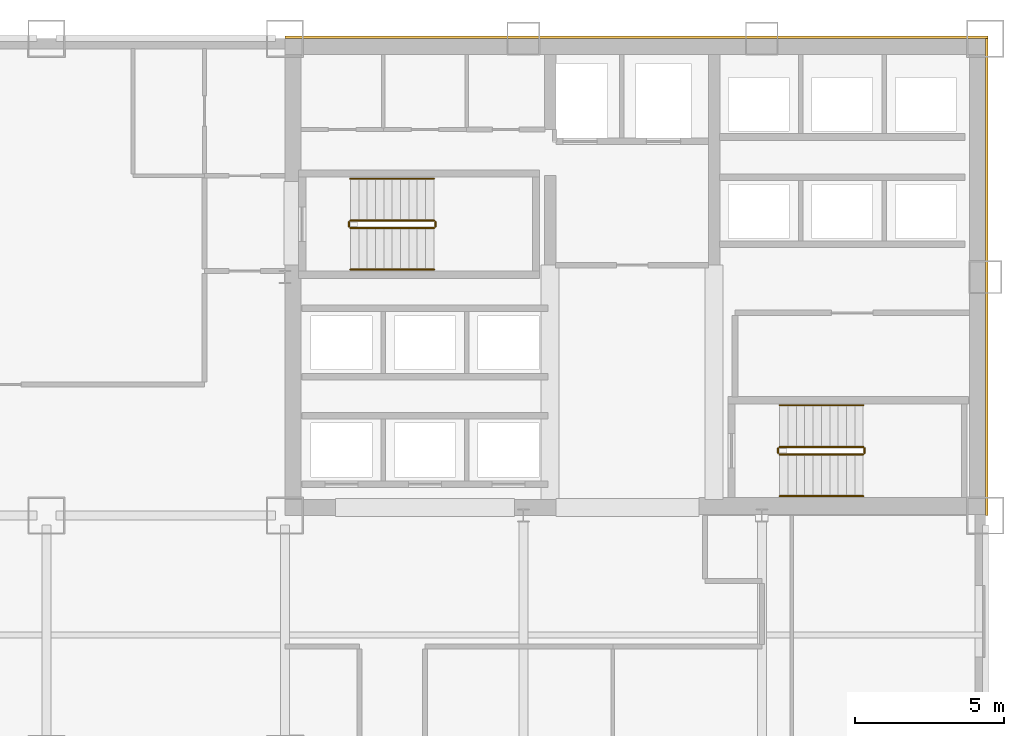
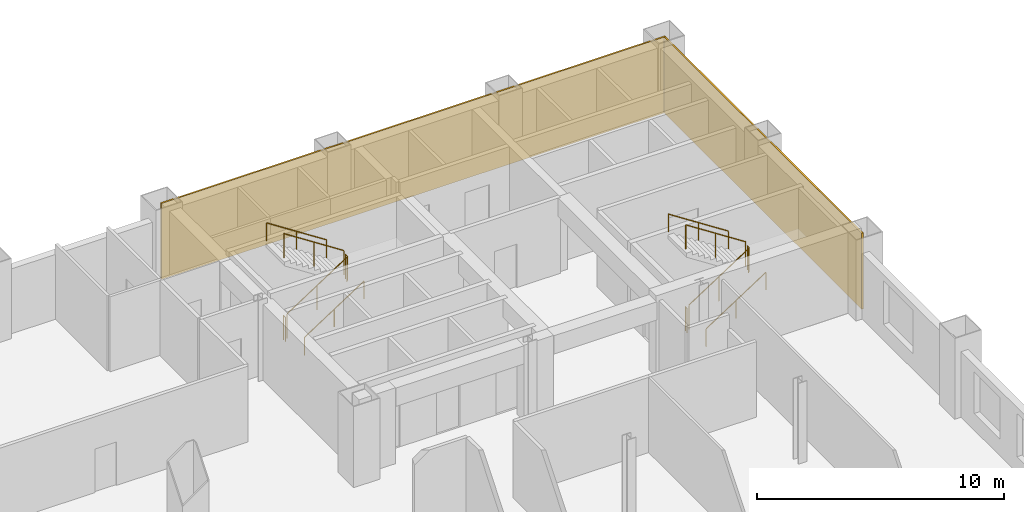
# One storey, part 9 of 9: 12 railings, 2 coverings.
"""IFC4 building model written with IfcOpenShell, lengths in metres."""

import ifcopenshell
import ifcopenshell.guid

model = None  # the IFC model being written
_history = None  # IfcOwnerHistory: only IFC2X3 demands one
_inside = {}  # id of a spatial element -> (the spatial element, [elements in it])
_under = {}  # id of a project, library or spatial element -> (it, [spatial elements below it])
_declared = {}  # id of a project -> (the project, [libraries it declares])
_typed = {}  # id of a type object -> (the type object, [elements of that type])
_made_of = {}  # id of a material, layer set ... -> (it, [elements and type objects made of it])


def new_model(schema):
    """Start an empty IFC model of exactly this schema.

    Asked for "IFC4X3", IfcOpenShell would pick the latest addendum, in which some entities
    have other attributes; the version numbers below select the first issue.
    IFC2X3 requires an IfcOwnerHistory on every rooted entity: one is made here for all.
    """
    global model, _history
    if schema == "IFC4X3":
        model = ifcopenshell.file(schema_version=(4, 3, 0, 0))
    else:
        model = ifcopenshell.file(schema=schema)
    _inside.clear()
    _under.clear()
    _declared.clear()
    _typed.clear()
    _made_of.clear()
    _history = None
    if model.schema == "IFC2X3":
        org = make("IfcOrganization", Name="unknown")
        user = make(
            "IfcPersonAndOrganization",
            ThePerson=make("IfcPerson", FamilyName="unknown"),
            TheOrganization=org,
        )
        app = make(
            "IfcApplication",
            ApplicationDeveloper=org,
            Version="unknown",
            ApplicationFullName="unknown",
            ApplicationIdentifier="unknown",
        )
        _history = make(
            "IfcOwnerHistory",
            OwningUser=user,
            OwningApplication=app,
            ChangeAction="ADDED",
            CreationDate=0,
        )
    return model


def make(cls, **values):
    """One entity of the class cls with the attributes given. An attribute that is None is left unset."""
    return model.create_entity(
        cls, **{name: value for name, value in values.items() if value is not None}
    )


def rooted(cls, **values):
    """An entity with a GlobalId (a new one), such as an element, a storey or a relation."""
    return make(cls, GlobalId=ifcopenshell.guid.new(), OwnerHistory=_history, **values)


def si_unit(unit_type, name, prefix=None):
    """IfcSIUnit, for example si_unit("LENGTHUNIT", "METRE", prefix="MILLI")."""
    return make("IfcSIUnit", UnitType=unit_type, Prefix=prefix, Name=name)


def assignment(units):
    """IfcUnitAssignment: the units of a project."""
    return None if units is None else make("IfcUnitAssignment", Units=units)


def point(xyz):
    """IfcCartesianPoint."""
    return None if xyz is None else make("IfcCartesianPoint", Coordinates=xyz)


def direction(xyz):
    """IfcDirection."""
    return None if xyz is None else make("IfcDirection", DirectionRatios=xyz)


def frame(location, z_axis=None, x_axis=None):
    """IfcAxis2Placement3D, a coordinate frame: its origin and axes. An axis left out is left unset."""
    return make(
        "IfcAxis2Placement3D",
        Location=point(location),
        Axis=direction(z_axis),
        RefDirection=direction(x_axis),
    )


def frame_2d(location, x_axis=None):
    """IfcAxis2Placement2D, a coordinate frame in the plane: its origin and x axis."""
    return make(
        "IfcAxis2Placement2D", Location=point(location), RefDirection=direction(x_axis)
    )


def origin():
    """The frame at (0, 0, 0) with its axes left unset."""
    return frame((0.0, 0.0, 0.0))


def origin_2d():
    """The frame at (0, 0) in the plane with its x axis left unset."""
    return frame_2d((0.0, 0.0))


def place(relative_to, where):
    """IfcLocalPlacement: puts the frame where relative to a parent placement (None: the world)."""
    return make(
        "IfcLocalPlacement", PlacementRelTo=relative_to, RelativePlacement=where
    )


def context(
    kind, dimensions, precision=None, world=None, true_north=None, identifier=None
):
    """IfcGeometricRepresentationContext, for example the 3D "Model" context."""
    return make(
        "IfcGeometricRepresentationContext",
        ContextIdentifier=identifier,
        ContextType=kind,
        CoordinateSpaceDimension=dimensions,
        Precision=precision,
        WorldCoordinateSystem=world,
        TrueNorth=true_north,
    )


def subcontext(parent, identifier, kind, view, scale=None):
    """IfcGeometricRepresentationSubContext, for example "Body" below "Model"."""
    return make(
        "IfcGeometricRepresentationSubContext",
        ContextIdentifier=identifier,
        ContextType=kind,
        ParentContext=parent,
        TargetScale=scale,
        TargetView=view,
    )


def project(units=None, contexts=None):
    """IfcProject with its units and contexts."""
    return rooted(
        "IfcProject",
        Name="project",
        RepresentationContexts=contexts,
        UnitsInContext=assignment(units),
    )


def spatial(cls, under=None, at=None, **own):
    """A site, building, storey or space (cls), placed at a placement, below another one or the project."""
    s = rooted(cls, ObjectPlacement=at, **own)
    if under is not None:
        _under.setdefault(under.id(), (under, []))[1].append(s)
    return s


def profile(cls, at=None, kind="AREA", **sizes):
    """A parametric profile (cls). Its sizes go by their IFC names, for example OverallWidth=200.0."""
    return make(cls, ProfileType=kind, Position=at, **sizes)


def rectangle(**sizes):
    """IfcRectangleProfileDef."""
    return profile("IfcRectangleProfileDef", **sizes)


def circle(**sizes):
    """IfcCircleProfileDef."""
    return profile("IfcCircleProfileDef", **sizes)


def extrude(swept, where, along, depth):
    """IfcExtrudedAreaSolid: the profile swept, set in the frame where, extruded along a direction by depth."""
    return make(
        "IfcExtrudedAreaSolid",
        SweptArea=swept,
        Position=where,
        ExtrudedDirection=direction(along),
        Depth=depth,
    )


def shape(context_of_items, identifier, shape_type, items):
    """IfcShapeRepresentation: the items that make up one representation, for example the "Body"."""
    return make(
        "IfcShapeRepresentation",
        ContextOfItems=context_of_items,
        RepresentationIdentifier=identifier,
        RepresentationType=shape_type,
        Items=items,
    )


def material(Name=None, Category=None):
    """IfcMaterial."""
    return make("IfcMaterial", Name=Name, Category=Category)


def layer(
    of_material, thickness, ventilated=None, Name=None, Category=None, Priority=None
):
    """IfcMaterialLayer: one layer of a wall or slab, of a material (None: an air gap)."""
    return make(
        "IfcMaterialLayer",
        Material=of_material,
        LayerThickness=thickness,
        IsVentilated=ventilated,
        Name=Name,
        Category=Category,
        Priority=Priority,
    )


def layer_set(layers, Name=None):
    """IfcMaterialLayerSet."""
    return make("IfcMaterialLayerSet", MaterialLayers=layers, LayerSetName=Name)


def made_of(thing, what):
    """Note that an element or type object is made of a material, layer set ...; save() writes the relation."""
    if what is not None:
        _made_of.setdefault(what.id(), (what, []))[1].append(thing)
    return thing


def type_object(cls, material=None, **own):
    """A type object (cls), such as IfcWallType, which elements share."""
    return made_of(rooted(cls, **own), material)


def element(
    cls,
    number,
    at=None,
    inside=None,
    cuts=None,
    type_object=None,
    material=None,
    context=None,
    identifier="Body",
    shape_type=None,
    held_by="IfcProductDefinitionShape",
    body=None,
    shapes=None,
    **own,
):
    """One element of the class cls, such as IfcWall. Its Tag is "e" and its number.

    at: its placement. inside: the storey or other place that contains it. cuts: it is an
    opening in that element (IfcRelVoidsElement). A single representation is given by context,
    identifier, shape_type and body (its items); several are given by shapes. held_by: the class
    of the entity that holds the representations. save() writes the other relations.
    """
    e = rooted(cls, Tag="e%d" % number, ObjectPlacement=at, **own)
    if body is not None:
        shapes = [shape(context, identifier, shape_type, body)]
    if shapes is not None:
        e.Representation = make(held_by, Representations=shapes)
    if inside is not None:
        _inside.setdefault(inside.id(), (inside, []))[1].append(e)
    if cuts is not None:
        rooted(
            "IfcRelVoidsElement", RelatingBuildingElement=cuts, RelatedOpeningElement=e
        )
    if type_object is not None:
        _typed.setdefault(type_object.id(), (type_object, []))[1].append(e)
    return made_of(e, material)


def aggregate(whole, parts):
    """IfcRelAggregates: a whole, such as a stair, and the parts it consists of."""
    return rooted("IfcRelAggregates", RelatingObject=whole, RelatedObjects=parts)


def save(model, path):
    """Write the relations noted so far, then the file.

    IfcRelAggregates (storeys below a building ...), IfcRelContainedInSpatialStructure (elements
    in a storey), IfcRelDefinesByType, IfcRelAssociatesMaterial and IfcRelDeclares: one each for
    every whole, place, type object, material and project.
    """
    for whole, parts in _under.values():
        aggregate(whole, parts)
    for where, things in _inside.values():
        rooted(
            "IfcRelContainedInSpatialStructure",
            RelatedElements=things,
            RelatingStructure=where,
        )
    for kind, things in _typed.values():
        rooted("IfcRelDefinesByType", RelatedObjects=things, RelatingType=kind)
    for what, things in _made_of.values():
        rooted("IfcRelAssociatesMaterial", RelatedObjects=things, RelatingMaterial=what)
    for by, libraries in _declared.values():
        rooted("IfcRelDeclares", RelatingContext=by, RelatedDefinitions=libraries)
    model.write(path)


model = new_model("IFC4")

# Units and contexts
model_context = context("Model", 3, precision=1e-05, world=origin(), true_north=direction((0.0, 1.0)))
body_context = subcontext(model_context, "Body", "Model", "MODEL_VIEW")
ifc_project = project(units=[si_unit("LENGTHUNIT", "METRE"), si_unit("AREAUNIT", "SQUARE_METRE"), si_unit("VOLUMEUNIT", "CUBIC_METRE"), si_unit("PLANEANGLEUNIT", "RADIAN"), si_unit("MASSUNIT", "GRAM", prefix="KILO")], contexts=[model_context])

# Site, building, storey
site_placement = place(None, origin())
site = spatial("IfcSite", under=ifc_project, at=site_placement, CompositionType="ELEMENT")
building_placement = place(site_placement, origin())
building = spatial("IfcBuilding", under=site, at=building_placement, Name="Qianrong Seaharbour Tower", CompositionType="ELEMENT")
storey_placement = place(building_placement, frame((0.0, 0.0, 72.199951171875)))
storey = spatial("IfcBuildingStorey", under=building, at=storey_placement, Name="L17", CompositionType="ELEMENT", Elevation=72.199951171875)

# Coverings
ifc_material_1 = material(Name="Unitised red brick cladding on Precast concrete C45/55", Category="masonry")
ifc_layer = layer(ifc_material_1, 0.080078125)
ifc_layer_set = layer_set([ifc_layer], Name="Unitised red brick cladding on Precast concrete C45/55")
covering_type = type_object("IfcCoveringType", Name="COV-CLAD-RED-BRICK-80", PredefinedType="CLADDING", material=ifc_layer_set)
covering_1_placement = place(storey_placement, frame((52.2900390625, 52.0400390625, 0.0), z_axis=(0.0, 0.0, 1.0), x_axis=(1.0, 0.0, 0.0)))
element("IfcCovering", 1, at=covering_1_placement, inside=storey, type_object=covering_type, Name="L17 North Core Brick Veneer Cladding", PredefinedType="CLADDING", context=body_context, shape_type="SweptSolid", body=[
    extrude(rectangle(XDim=23.580078125, YDim=0.080078125, at=origin_2d()), origin(), (0.0, 0.0, 1.0), 3.75),
])
covering_2_placement = place(storey_placement, frame((64.0400390625, 44.0, 0.0), z_axis=(0.0, 0.0, 1.0), x_axis=(1.0, 0.0, 0.0)))
element("IfcCovering", 2, at=covering_2_placement, inside=storey, type_object=covering_type, Name="L17 East Core Brick Veneer Cladding", PredefinedType="CLADDING", context=body_context, shape_type="SweptSolid", body=[
    extrude(rectangle(XDim=0.080078125, YDim=16.0, at=origin_2d()), origin(), (0.0, 0.0, 1.0), 3.75),
])

# Railings
ifc_material_2 = material(Name="Galvanized painted steel SN400B stair guard", Category="steel")
railing_type_1 = type_object("IfcRailingType", Name="RAIL-STAIR-GUARD-1220", PredefinedType="GUARDRAIL", material=ifc_material_2)
railing_1_placement = place(storey_placement, frame((42.699951171875, 45.64990234375, 0.181884765625)))
element("IfcRailing", 3, at=railing_1_placement, inside=storey, type_object=railing_type_1, Name="L17 ST-1 stair guard 1", PredefinedType="GUARDRAIL", context=body_context, shape_type="SweptSolid", body=[
    extrude(circle(Radius=0.02392578125, at=origin_2d()), frame((0.0, 0.0, 1.19580078125), z_axis=(0.838705829183, 0.0, 0.544584733623), x_axis=(0.0, 1.0, 0.0)), (0.0, 0.0, 1.0), 3.338623046875),
    extrude(circle(Radius=0.02099609375, at=origin_2d()), origin(), (0.0, 0.0, 1.0), 1.171875),
    extrude(circle(Radius=0.02099609375, at=origin_2d()), frame((1.39990234375, 0.0, 0.9091796875)), (0.0, 0.0, 1.0), 1.171875),
    extrude(circle(Radius=0.02099609375, at=origin_2d()), frame((2.800048828125, 0.0, 1.818115234375)), (0.0, 0.0, 1.0), 1.171875),
])
railing_2_placement = place(storey_placement, frame((45.550048828125, 45.699951171875, 2.0)))
element("IfcRailing", 4, at=railing_2_placement, inside=storey, type_object=railing_type_1, Name="L17 ST-1 stair guard 2", PredefinedType="GUARDRAIL", context=body_context, shape_type="SweptSolid", body=[
    extrude(circle(Radius=0.02392578125, at=origin_2d()), frame((0.0, 0.0, 1.19580078125), z_axis=(0.0, 1.0, 0.0), x_axis=(-1.0, 0.0, 0.0)), (0.0, 0.0, 1.0), 0.150146484375),
    extrude(circle(Radius=0.02099609375, at=origin_2d()), origin(), (0.0, 0.0, 1.0), 1.171875),
    extrude(circle(Radius=0.02099609375, at=origin_2d()), frame((0.0, 0.150146484375, 0.0)), (0.0, 0.0, 1.0), 1.171875),
])
railing_3_placement = place(storey_placement, frame((45.5, 45.89990234375, 2.181884765625)))
element("IfcRailing", 5, at=railing_3_placement, inside=storey, type_object=railing_type_1, Name="L17 ST-1 stair guard 3", PredefinedType="GUARDRAIL", context=body_context, shape_type="SweptSolid", body=[
    extrude(circle(Radius=0.02392578125, at=origin_2d()), frame((0.0, 0.0, 1.19580078125), z_axis=(-0.838705829183, 0.0, 0.544584733623), x_axis=(0.0, -1.0, 0.0)), (0.0, 0.0, 1.0), 3.338623046875),
    extrude(circle(Radius=0.02099609375, at=origin_2d()), origin(), (0.0, 0.0, 1.0), 1.171875),
    extrude(circle(Radius=0.02099609375, at=origin_2d()), frame((-1.39990234375, 0.0, 0.9091796875)), (0.0, 0.0, 1.0), 1.171875),
    extrude(circle(Radius=0.02099609375, at=origin_2d()), frame((-2.800048828125, 0.0, 1.818115234375)), (0.0, 0.0, 1.0), 1.171875),
])
railing_4_placement = place(storey_placement, frame((42.64990234375, 45.699951171875, 0.0)))
element("IfcRailing", 6, at=railing_4_placement, inside=storey, type_object=railing_type_1, Name="L17 ST-1 stair guard 4", PredefinedType="GUARDRAIL", context=body_context, shape_type="SweptSolid", body=[
    extrude(circle(Radius=0.02392578125, at=origin_2d()), frame((0.0, 0.0, 1.19580078125), z_axis=(0.0, 1.0, 0.0), x_axis=(-1.0, 0.0, 0.0)), (0.0, 0.0, 1.0), 0.150146484375),
    extrude(circle(Radius=0.02099609375, at=origin_2d()), origin(), (0.0, 0.0, 1.0), 1.171875),
    extrude(circle(Radius=0.02099609375, at=origin_2d()), frame((0.0, 0.150146484375, 0.0)), (0.0, 0.0, 1.0), 1.171875),
])
railing_5_placement = place(storey_placement, frame((57.10009765625, 38.050048828125, 0.181884765625)))
element("IfcRailing", 7, at=railing_5_placement, inside=storey, type_object=railing_type_1, Name="L17 ST-2 stair guard 1", PredefinedType="GUARDRAIL", context=body_context, shape_type="SweptSolid", body=[
    extrude(circle(Radius=0.02392578125, at=origin_2d()), frame((0.0, 0.0, 1.19580078125), z_axis=(0.83868413941, 0.0, 0.544618136222), x_axis=(0.0, 1.0, 0.0)), (0.0, 0.0, 1.0), 3.33837890625),
    extrude(circle(Radius=0.02099609375, at=origin_2d()), origin(), (0.0, 0.0, 1.0), 1.171875),
    extrude(circle(Radius=0.02099609375, at=origin_2d()), frame((1.39990234375, 0.0, 0.9091796875)), (0.0, 0.0, 1.0), 1.171875),
    extrude(circle(Radius=0.02099609375, at=origin_2d()), frame((2.7998046875, 0.0, 1.818115234375)), (0.0, 0.0, 1.0), 1.171875),
])
railing_6_placement = place(storey_placement, frame((59.949951171875, 38.10009765625, 2.0)))
element("IfcRailing", 8, at=railing_6_placement, inside=storey, type_object=railing_type_1, Name="L17 ST-2 stair guard 2", PredefinedType="GUARDRAIL", context=body_context, shape_type="SweptSolid", body=[
    extrude(circle(Radius=0.02392578125, at=origin_2d()), frame((0.0, 0.0, 1.19580078125), z_axis=(0.0, 1.0, 0.0), x_axis=(-1.0, 0.0, 0.0)), (0.0, 0.0, 1.0), 0.14990234375),
    extrude(circle(Radius=0.02099609375, at=origin_2d()), origin(), (0.0, 0.0, 1.0), 1.171875),
    extrude(circle(Radius=0.02099609375, at=origin_2d()), frame((0.0, 0.14990234375, 0.0)), (0.0, 0.0, 1.0), 1.171875),
])
railing_7_placement = place(storey_placement, frame((59.89990234375, 38.300048828125, 2.181884765625)))
element("IfcRailing", 9, at=railing_7_placement, inside=storey, type_object=railing_type_1, Name="L17 ST-2 stair guard 3", PredefinedType="GUARDRAIL", context=body_context, shape_type="SweptSolid", body=[
    extrude(circle(Radius=0.02392578125, at=origin_2d()), frame((0.0, 0.0, 1.19580078125), z_axis=(-0.83868413941, 0.0, 0.544618136222), x_axis=(0.0, -1.0, 0.0)), (0.0, 0.0, 1.0), 3.33837890625),
    extrude(circle(Radius=0.02099609375, at=origin_2d()), origin(), (0.0, 0.0, 1.0), 1.171875),
    extrude(circle(Radius=0.02099609375, at=origin_2d()), frame((-1.39990234375, 0.0, 0.9091796875)), (0.0, 0.0, 1.0), 1.171875),
    extrude(circle(Radius=0.02099609375, at=origin_2d()), frame((-2.7998046875, 0.0, 1.818115234375)), (0.0, 0.0, 1.0), 1.171875),
])
railing_8_placement = place(storey_placement, frame((57.050048828125, 38.10009765625, 0.0)))
element("IfcRailing", 10, at=railing_8_placement, inside=storey, type_object=railing_type_1, Name="L17 ST-2 stair guard 4", PredefinedType="GUARDRAIL", context=body_context, shape_type="SweptSolid", body=[
    extrude(circle(Radius=0.02392578125, at=origin_2d()), frame((0.0, 0.0, 1.19580078125), z_axis=(0.0, 1.0, 0.0), x_axis=(-1.0, 0.0, 0.0)), (0.0, 0.0, 1.0), 0.14990234375),
    extrude(circle(Radius=0.02099609375, at=origin_2d()), origin(), (0.0, 0.0, 1.0), 1.171875),
    extrude(circle(Radius=0.02099609375, at=origin_2d()), frame((0.0, 0.14990234375, 0.0)), (0.0, 0.0, 1.0), 1.171875),
])
ifc_material_3 = material(Name="Stainless steel SUS316L continuous handrail", Category="steel")
railing_type_2 = type_object("IfcRailingType", Name="RAIL-STAIR-HANDRAIL-900", PredefinedType="HANDRAIL", material=ifc_material_3)
railing_9_placement = place(storey_placement, frame((42.699951171875, 44.25, 0.181884765625)))
element("IfcRailing", 11, at=railing_9_placement, inside=storey, type_object=railing_type_2, Name="L17 ST-1 stair handrail 1", PredefinedType="HANDRAIL", context=body_context, shape_type="SweptSolid", body=[
    extrude(circle(Radius=0.02392578125, at=origin_2d()), frame((0.0, 0.0, 0.8759765625), z_axis=(0.838705829183, 0.0, 0.544584733623), x_axis=(0.0, 1.0, 0.0)), (0.0, 0.0, 1.0), 3.338623046875),
    extrude(circle(Radius=0.02099609375, at=origin_2d()), origin(), (0.0, 0.0, 1.0), 0.851806640625),
    extrude(circle(Radius=0.02099609375, at=origin_2d()), frame((1.39990234375, 0.0, 0.9091796875)), (0.0, 0.0, 1.0), 0.851806640625),
    extrude(circle(Radius=0.02099609375, at=origin_2d()), frame((2.800048828125, 0.0, 1.818115234375)), (0.0, 0.0, 1.0), 0.851806640625),
])
railing_10_placement = place(storey_placement, frame((45.5, 47.300048828125, 2.181884765625)))
element("IfcRailing", 12, at=railing_10_placement, inside=storey, type_object=railing_type_2, Name="L17 ST-1 stair handrail 2", PredefinedType="HANDRAIL", context=body_context, shape_type="SweptSolid", body=[
    extrude(circle(Radius=0.02392578125, at=origin_2d()), frame((0.0, 0.0, 0.8759765625), z_axis=(-0.838705829183, 0.0, 0.544584733623), x_axis=(0.0, -1.0, 0.0)), (0.0, 0.0, 1.0), 3.338623046875),
    extrude(circle(Radius=0.02099609375, at=origin_2d()), origin(), (0.0, 0.0, 1.0), 0.851806640625),
    extrude(circle(Radius=0.02099609375, at=origin_2d()), frame((-1.39990234375, 0.0, 0.9091796875)), (0.0, 0.0, 1.0), 0.851806640625),
    extrude(circle(Radius=0.02099609375, at=origin_2d()), frame((-2.800048828125, 0.0, 1.818115234375)), (0.0, 0.0, 1.0), 0.851806640625),
])
railing_11_placement = place(storey_placement, frame((57.10009765625, 36.64990234375, 0.181884765625)))
element("IfcRailing", 13, at=railing_11_placement, inside=storey, type_object=railing_type_2, Name="L17 ST-2 stair handrail 1", PredefinedType="HANDRAIL", context=body_context, shape_type="SweptSolid", body=[
    extrude(circle(Radius=0.02392578125, at=origin_2d()), frame((0.0, 0.0, 0.8759765625), z_axis=(0.83868413941, 0.0, 0.544618136222), x_axis=(0.0, 1.0, 0.0)), (0.0, 0.0, 1.0), 3.33837890625),
    extrude(circle(Radius=0.02099609375, at=origin_2d()), origin(), (0.0, 0.0, 1.0), 0.851806640625),
    extrude(circle(Radius=0.02099609375, at=origin_2d()), frame((1.39990234375, 0.0, 0.9091796875)), (0.0, 0.0, 1.0), 0.851806640625),
    extrude(circle(Radius=0.02099609375, at=origin_2d()), frame((2.7998046875, 0.0, 1.818115234375)), (0.0, 0.0, 1.0), 0.851806640625),
])
railing_12_placement = place(storey_placement, frame((59.89990234375, 39.699951171875, 2.181884765625)))
element("IfcRailing", 14, at=railing_12_placement, inside=storey, type_object=railing_type_2, Name="L17 ST-2 stair handrail 2", PredefinedType="HANDRAIL", context=body_context, shape_type="SweptSolid", body=[
    extrude(circle(Radius=0.02392578125, at=origin_2d()), frame((0.0, 0.0, 0.8759765625), z_axis=(-0.83868413941, 0.0, 0.544618136222), x_axis=(0.0, -1.0, 0.0)), (0.0, 0.0, 1.0), 3.33837890625),
    extrude(circle(Radius=0.02099609375, at=origin_2d()), origin(), (0.0, 0.0, 1.0), 0.851806640625),
    extrude(circle(Radius=0.02099609375, at=origin_2d()), frame((-1.39990234375, 0.0, 0.9091796875)), (0.0, 0.0, 1.0), 0.851806640625),
    extrude(circle(Radius=0.02099609375, at=origin_2d()), frame((-2.7998046875, 0.0, 1.818115234375)), (0.0, 0.0, 1.0), 0.851806640625),
])

save(model, "model.ifc")
